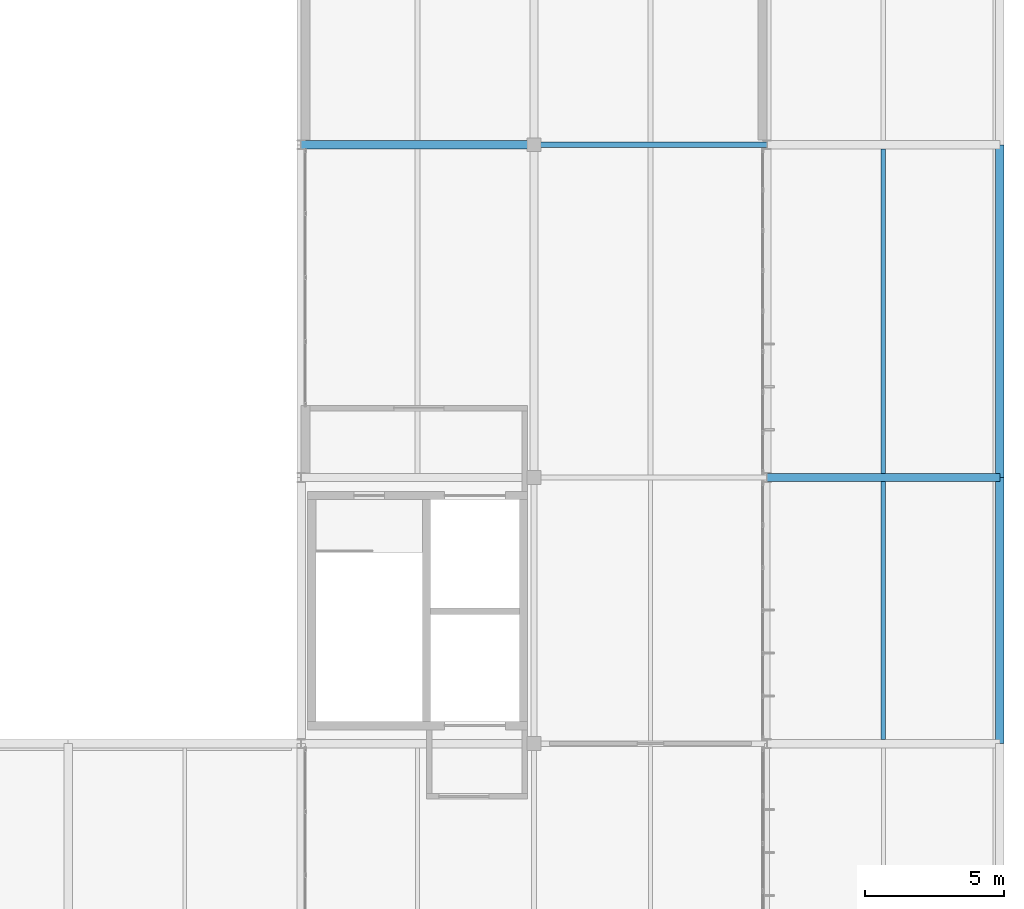
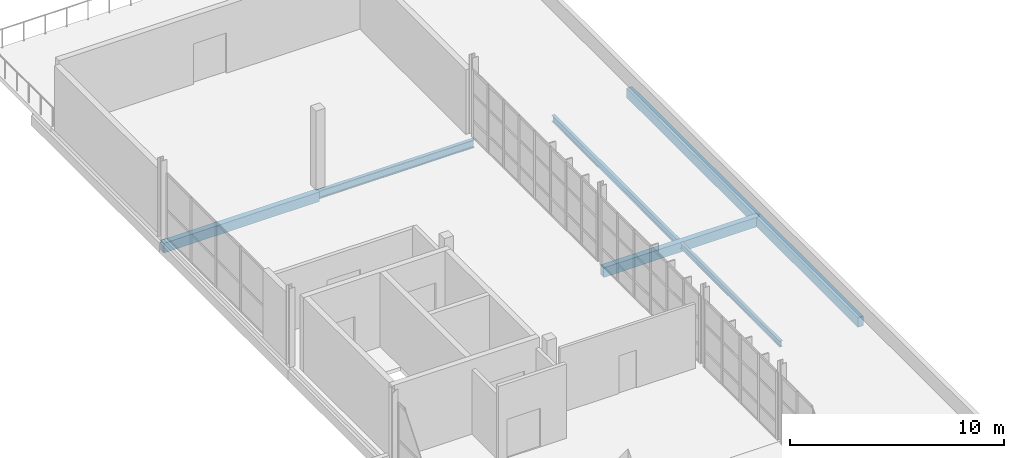
# One storey, part 81 of 103: 7 beams.
"""IFC4 building model written with IfcOpenShell, lengths in metres."""

from ifc_helpers import new_model, si_unit, direction, frame, origin, origin_2d, place, context, subcontext, project, spatial, rectangle, i_section, extrude, material, material_profile, profile_set, type_object, element, save


model = new_model("IFC4")

# Units and contexts
model_context = context("Model", 3, precision=1e-05, world=origin(), true_north=direction((0.0, 1.0)))
body_context = subcontext(model_context, "Body", "Model", "MODEL_VIEW")
ifc_project = project(units=[si_unit("LENGTHUNIT", "METRE"), si_unit("AREAUNIT", "SQUARE_METRE"), si_unit("VOLUMEUNIT", "CUBIC_METRE"), si_unit("PLANEANGLEUNIT", "RADIAN"), si_unit("MASSUNIT", "GRAM", prefix="KILO")], contexts=[model_context])

# Site, building, storey
site_placement = place(None, origin())
site = spatial("IfcSite", under=ifc_project, at=site_placement, CompositionType="ELEMENT")
building_placement = place(site_placement, origin())
building = spatial("IfcBuilding", under=site, at=building_placement, Name="Veltarok Museum of Natural Sciences", CompositionType="ELEMENT")
storey_placement = place(building_placement, frame((0.0, 0.0, 21.89990234375)))
storey = spatial("IfcBuildingStorey", under=building, at=storey_placement, Name="L04", CompositionType="ELEMENT", Elevation=21.89990234375)

# Beams
ifc_material_1 = material(Name="Precast concrete C40/50", Category="concrete")
ifc_material_profile_1 = material_profile(ifc_material_1, rectangle(XDim=0.300048828125, YDim=0.550048828125, at=origin_2d()), Name="RC 300x550")
ifc_profile_set_1 = profile_set([ifc_material_profile_1], Name="Precast concrete C40/50")
beam_type_1 = type_object("IfcBeamType", Name="East Wing Precast Spandrel RC 300x550", PredefinedType="SPANDREL", material=ifc_profile_set_1)
for number, where, z_axis, x_axis, name in (
    (1, (149.199951171875, 36.0, -0.52490234375), (1.0, 0.0, 0.0), (0.0, 1.0, 0.0), "Beam BM-SP02 L04 18-19/E"),
    (2, (132.39990234375, 48.0, -0.52490234375), (1.0, 0.0, 0.0), (0.0, 1.0, 0.0), "Beam BM-SP02 L04 16-17/F"),
):
    element("IfcBeam", number, at=place(storey_placement, frame(where, z_axis=z_axis, x_axis=x_axis)), inside=storey, type_object=beam_type_1, Name=name, PredefinedType="SPANDREL", context=body_context, shape_type="SweptSolid", body=[
        extrude(rectangle(XDim=0.300048828125, YDim=0.550048828125, at=origin_2d()), origin(), (0.0, 0.0, 1.0), 8.400146484375),
    ])
beam_1_placement = place(storey_placement, frame((157.60009765625, 26.39990234375, -0.52490234375), z_axis=(0.0, 1.0, 0.0), x_axis=(-1.0, 0.0, 0.0)))
element("IfcBeam", 3, at=beam_1_placement, inside=storey, type_object=beam_type_1, Name="Beam BM-SP02 L04 19/D-E", PredefinedType="SPANDREL", context=body_context, shape_type="SweptSolid", body=[
    extrude(rectangle(XDim=0.300048828125, YDim=0.550048828125, at=origin_2d()), origin(), (0.0, 0.0, 1.0), 9.60009765625),
])
beam_2_placement = place(storey_placement, frame((157.60009765625, 36.0, -0.52490234375), z_axis=(0.0, 1.0, 0.0), x_axis=(-1.0, 0.0, 0.0)))
element("IfcBeam", 4, at=beam_2_placement, inside=storey, type_object=beam_type_1, Name="Beam BM-SP02 L04 19/E-F", PredefinedType="SPANDREL", context=body_context, shape_type="SweptSolid", body=[
    extrude(rectangle(XDim=0.300048828125, YDim=0.550048828125, at=origin_2d()), origin(), (0.0, 0.0, 1.0), 12.0),
])
ifc_material_2 = material(Name="Steel S355J2", Category="steel")
ifc_material_profile_2 = material_profile(ifc_material_2, i_section(OverallWidth=0.18994140625, OverallDepth=0.449951171875, WebThickness=0.009521484375, FlangeThickness=0.0146484375, FilletRadius=0.02099609375, at=origin_2d()), Name="IPE 450")
ifc_profile_set_2 = profile_set([ifc_material_profile_2], Name="Steel S355J2")
beam_type_2 = type_object("IfcBeamType", Name="Laboratory Floor Girder IPE 450", PredefinedType="BEAM", material=ifc_profile_set_2)
beam_3_placement = place(storey_placement, frame((140.800048828125, 48.0, -0.474853515625), z_axis=(1.0, 0.0, 0.0), x_axis=(0.0, 1.0, 0.0)))
element("IfcBeam", 5, at=beam_3_placement, inside=storey, type_object=beam_type_2, Name="Beam BM-G05 L04 17-18/F", PredefinedType="BEAM", context=body_context, shape_type="SweptSolid", body=[
    extrude(i_section(OverallWidth=0.18994140625, OverallDepth=0.449951171875, WebThickness=0.009521484375, FlangeThickness=0.0146484375, FilletRadius=0.02099609375, at=origin_2d()), origin(), (0.0, 0.0, 1.0), 8.39990234375),
])
ifc_material_profile_3 = material_profile(ifc_material_2, i_section(OverallWidth=0.169921875, OverallDepth=0.360107421875, WebThickness=0.008056640625, FlangeThickness=0.0126953125, FilletRadius=0.01806640625, at=origin_2d()), Name="IPE 360")
ifc_profile_set_3 = profile_set([ifc_material_profile_3], Name="Steel S355J2")
beam_type_3 = type_object("IfcBeamType", Name="Long-Bay Composite Joist IPE 360", PredefinedType="JOIST", material=ifc_profile_set_3)
beam_4_placement = place(storey_placement, frame((153.39990234375, 36.14794921875, -0.429931640625), z_axis=(0.0, 1.0, 0.0), x_axis=(-1.0, 0.0, 0.0)))
element("IfcBeam", 6, at=beam_4_placement, inside=storey, type_object=beam_type_3, Name="Secondary Joist BM-J01 L04 18-19/E-F.1", PredefinedType="JOIST", context=body_context, shape_type="SweptSolid", body=[
    extrude(i_section(OverallWidth=0.169921875, OverallDepth=0.360107421875, WebThickness=0.008056640625, FlangeThickness=0.0126953125, FilletRadius=0.01806640625, at=origin_2d()), origin(), (0.0, 0.0, 1.0), 11.7041015625),
])
ifc_material_profile_4 = material_profile(ifc_material_2, i_section(OverallWidth=0.159912109375, OverallDepth=0.330078125, WebThickness=0.007568359375, FlangeThickness=0.011474609375, FilletRadius=0.01806640625, at=origin_2d()), Name="IPE 330")
ifc_profile_set_4 = profile_set([ifc_material_profile_4], Name="Steel S355J2")
beam_type_4 = type_object("IfcBeamType", Name="Medium-Bay Composite Joist IPE 330", PredefinedType="JOIST", material=ifc_profile_set_4)
beam_5_placement = place(storey_placement, frame((153.39990234375, 26.548095703125, -0.414794921875), z_axis=(0.0, 1.0, 0.0), x_axis=(-1.0, 0.0, 0.0)))
element("IfcBeam", 7, at=beam_5_placement, inside=storey, type_object=beam_type_4, Name="Secondary Joist BM-J02 L04 18-19/D-E.1", PredefinedType="JOIST", context=body_context, shape_type="SweptSolid", body=[
    extrude(i_section(OverallWidth=0.159912109375, OverallDepth=0.330078125, WebThickness=0.007568359375, FlangeThickness=0.011474609375, FilletRadius=0.01806640625, at=origin_2d()), origin(), (0.0, 0.0, 1.0), 9.303955078125),
])

save(model, "model.ifc")
